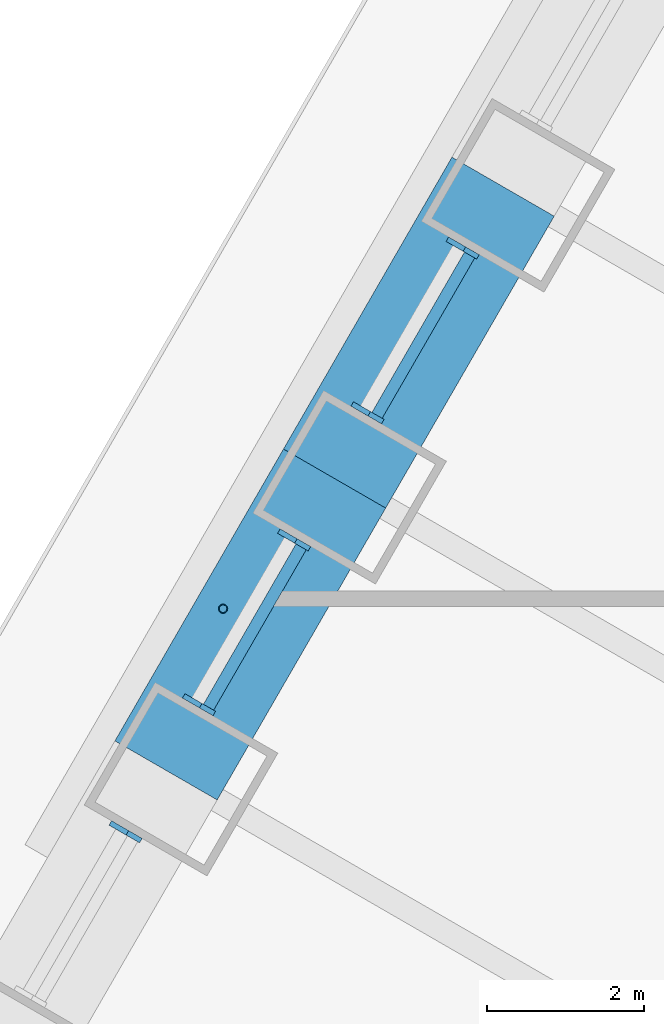
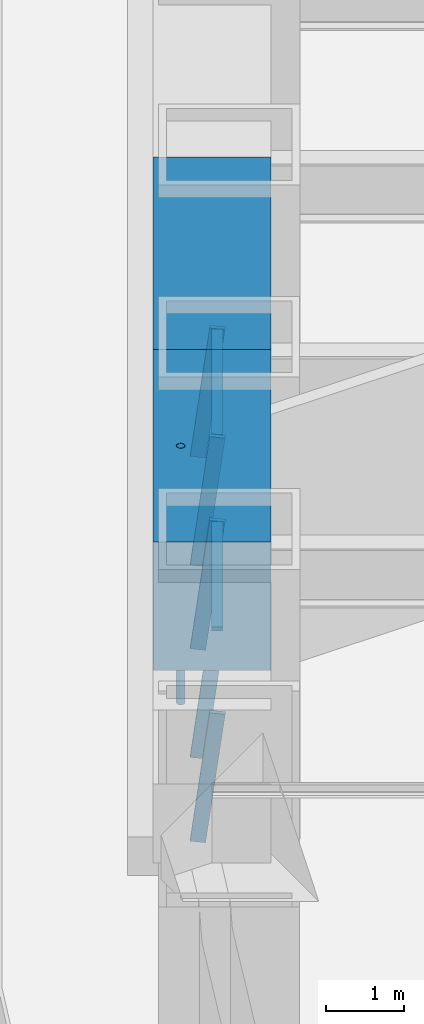
# One storey, part 6 of 18: 8 members, 2 beams, 3 elements without a shape of their own.
"""IFC4 building model written with IfcOpenShell, lengths in metres."""

from ifc_helpers import new_model, si_unit, direction, frame, origin, origin_2d, place, context, subcontext, project, spatial, rectangle, hollow_circle, extrude, material, material_profile, profile_set, type_object, element, aggregate, save


model = new_model("IFC4")

# Units and contexts
model_context = context("Model", 3, precision=1e-05, world=origin(), true_north=direction((0.0, 1.0)))
body_context = subcontext(model_context, "Body", "Model", "MODEL_VIEW")
ifc_project = project(units=[si_unit("LENGTHUNIT", "METRE"), si_unit("AREAUNIT", "SQUARE_METRE"), si_unit("VOLUMEUNIT", "CUBIC_METRE"), si_unit("PLANEANGLEUNIT", "RADIAN"), si_unit("MASSUNIT", "GRAM", prefix="KILO")], contexts=[model_context])

# Site, building, storey
site_placement = place(None, origin())
site = spatial("IfcSite", under=ifc_project, at=site_placement, CompositionType="ELEMENT")
building_placement = place(site_placement, origin())
building = spatial("IfcBuilding", under=site, at=building_placement, Name="Tarfa Lantern Tower", CompositionType="ELEMENT")
storey_placement = place(building_placement, frame((0.0, 0.0, 311.5)))
storey = spatial("IfcBuildingStorey", under=building, at=storey_placement, Name="L70", CompositionType="ELEMENT", Elevation=311.5)

# Curtain wall, members
ifc_material_1 = material(Name="Aluminium framed curtain wall", Category="aluminium")
curtain_wall_type = type_object("IfcCurtainWallType", Name="CW4 CANTED GLAZING EXECUTIVE ZONE 2000", PredefinedType="USERDEFINED", material=ifc_material_1)
curtain_wall_1_placement = place(storey_placement, origin())
curtain_wall_1 = element("IfcCurtainWall", 1, at=curtain_wall_1_placement, inside=storey, type_object=curtain_wall_type, Name="CW4 NW L70", ObjectType="CURTAIN WALL", PredefinedType="USERDEFINED")
ifc_material_2 = material(Name="Aluminium mullion", Category="aluminium")
ifc_material_profile_1 = material_profile(ifc_material_2, rectangle(XDim=0.06494140625, YDim=0.199951171875, at=origin_2d()), Name="AL MULLION 65x200")
ifc_profile_set_1 = profile_set([ifc_material_profile_1], Name="Aluminium mullion")
member_type_1 = type_object("IfcMemberType", Name="CWM1 MULLION 65x200", PredefinedType="MULLION", material=ifc_profile_set_1)
member_1_placement = place(storey_placement, frame((-23.5458984375, 12.517333984375, 0.0), z_axis=(0.107439978116, -0.062017213975, 0.992275423596), x_axis=(0.499919672301, 0.866071776036, 0.0)))
member_1 = element("IfcMember", 2, at=member_1_placement, type_object=member_type_1, Name="CW4 mullion 1", PredefinedType="MULLION", context=body_context, shape_type="SweptSolid", body=[
    extrude(rectangle(XDim=0.06494140625, YDim=0.199951171875, at=origin_2d()), origin(), (0.0, 0.0, 1.0), 2.015625),
])
member_2_placement = place(storey_placement, frame((-24.75439453125, 10.42431640625, 0.0), z_axis=(0.107439978116, -0.062017213975, 0.992275423596), x_axis=(0.499919672301, 0.866071776036, 0.0)))
member_2 = element("IfcMember", 3, at=member_2_placement, type_object=member_type_1, Name="CW4 mullion 2", PredefinedType="MULLION", context=body_context, shape_type="SweptSolid", body=[
    extrude(rectangle(XDim=0.06494140625, YDim=0.199951171875, at=origin_2d()), origin(), (0.0, 0.0, 1.0), 2.015625),
])

curtain_wall_2_placement = place(storey_placement, origin())
curtain_wall_2 = element("IfcCurtainWall", 4, at=curtain_wall_2_placement, inside=storey, type_object=curtain_wall_type, Name="CW4 NW L70", ObjectType="CURTAIN WALL", PredefinedType="USERDEFINED")
member_3_placement = place(storey_placement, frame((-25.686767578125, 8.80908203125, 0.0), z_axis=(0.107439978116, -0.062017213975, 0.992275423596), x_axis=(0.499919672301, 0.866071776036, 0.0)))
member_3 = element("IfcMember", 5, at=member_3_placement, type_object=member_type_1, Name="CW4 mullion 1", PredefinedType="MULLION", context=body_context, shape_type="SweptSolid", body=[
    extrude(rectangle(XDim=0.06494140625, YDim=0.199951171875, at=origin_2d()), origin(), (0.0, 0.0, 1.0), 2.015625),
])
member_4_placement = place(storey_placement, frame((-26.895263671875, 6.7158203125, 0.0), z_axis=(0.107320246625, -0.062018020623, 0.992288329964), x_axis=(0.500342721131, 0.865827443207, 0.0)))
member_4 = element("IfcMember", 6, at=member_4_placement, type_object=member_type_1, Name="CW4 mullion 2", PredefinedType="MULLION", context=body_context, shape_type="SweptSolid", body=[
    extrude(rectangle(XDim=0.06494140625, YDim=0.199951171875, at=origin_2d()), origin(), (0.0, 0.0, 1.0), 2.015625),
])

# Curtain wall, member
curtain_wall_3_placement = place(storey_placement, origin())
curtain_wall_3 = element("IfcCurtainWall", 7, at=curtain_wall_3_placement, inside=storey, type_object=curtain_wall_type, Name="CW4 NW L70", ObjectType="CURTAIN WALL", PredefinedType="USERDEFINED")
member_5_placement = place(storey_placement, frame((-27.827880859375, 5.100830078125, 0.0), z_axis=(0.107439978116, -0.062017213975, 0.992275423596), x_axis=(0.499919672301, 0.866071776036, 0.0)))
member_5 = element("IfcMember", 8, at=member_5_placement, type_object=member_type_1, Name="CW4 mullion 1", PredefinedType="MULLION", context=body_context, shape_type="SweptSolid", body=[
    extrude(rectangle(XDim=0.06494140625, YDim=0.199951171875, at=origin_2d()), origin(), (0.0, 0.0, 1.0), 2.015625),
])
aggregate(curtain_wall_3, [member_5])

# Member
ifc_material_3 = material(Name="Aluminium transom", Category="aluminium")
ifc_material_profile_2 = material_profile(ifc_material_3, rectangle(XDim=0.14990234375, YDim=0.06494140625, at=origin_2d()), Name="AL TRANSOM 150x65")
ifc_profile_set_2 = profile_set([ifc_material_profile_2], Name="Aluminium transom")
member_type_2 = type_object("IfcMemberType", Name="CWT1 TRANSOM 150x65", PredefinedType="USERDEFINED", material=ifc_profile_set_2)
member_6_placement = place(storey_placement, frame((-23.34912109375, 12.3662109375, 1.967529296875), z_axis=(-0.500012978079, -0.866017910757, 0.0), x_axis=(0.866017910757, -0.500012978079, 0.0)))
member_6 = element("IfcMember", 9, at=member_6_placement, type_object=member_type_2, Name="CW4 transom 1.2", ObjectType="TRANSOM", PredefinedType="USERDEFINED", context=body_context, shape_type="SweptSolid", body=[
    extrude(rectangle(XDim=0.14990234375, YDim=0.06494140625, at=origin_2d()), origin(), (0.0, 0.0, 1.0), 2.35205078125),
])

aggregate(curtain_wall_1, [member_1, member_2, member_6])

member_7_placement = place(storey_placement, frame((-25.489990234375, 8.657958984375, 1.967529296875), z_axis=(-0.500012978079, -0.866017910757, 0.0), x_axis=(0.866017910757, -0.500012978079, 0.0)))
member_7 = element("IfcMember", 10, at=member_7_placement, type_object=member_type_2, Name="CW4 transom 1.2", ObjectType="TRANSOM", PredefinedType="USERDEFINED", context=body_context, shape_type="SweptSolid", body=[
    extrude(rectangle(XDim=0.14990234375, YDim=0.06494140625, at=origin_2d()), origin(), (0.0, 0.0, 1.0), 2.35205078125),
])

aggregate(curtain_wall_2, [member_3, member_4, member_7])

# Beams
ifc_material_4 = material(Name="Concrete C80/95", Category="concrete")
ifc_material_profile_3 = material_profile(ifc_material_4, rectangle(XDim=1.5, YDim=2.0, at=origin_2d()), Name="RC 1500x2000")
ifc_profile_set_3 = profile_set([ifc_material_profile_3], Name="Concrete C80/95")
beam_type = type_object("IfcBeamType", Name="RB3 RC 1500x2000", PredefinedType="BEAM", material=ifc_profile_set_3)
beam_1_placement = place(storey_placement, frame((-22.923583984375, 13.235107421875, 3.0), z_axis=(-0.500002112793, -0.866024183959, 0.0), x_axis=(0.866024183959, -0.500002112793, 0.0)))
element("IfcBeam", 11, at=beam_1_placement, inside=storey, type_object=beam_type, Name="Edge beam NW3", PredefinedType="BEAM", context=body_context, shape_type="SweptSolid", body=[
    extrude(rectangle(XDim=1.5, YDim=2.0, at=origin_2d()), origin(), (0.0, 0.0, 1.0), 4.2822265625),
])
beam_2_placement = place(storey_placement, frame((-25.064697265625, 9.526611328125, 3.0), z_axis=(-0.500026801138, -0.866009929587, 0.0), x_axis=(0.866009929587, -0.500026801138, 0.0)))
element("IfcBeam", 12, at=beam_2_placement, inside=storey, type_object=beam_type, Name="Edge beam NW4", PredefinedType="BEAM", context=body_context, shape_type="SweptSolid", body=[
    extrude(rectangle(XDim=1.5, YDim=2.0, at=origin_2d()), origin(), (0.0, 0.0, 1.0), 4.281982421875),
])

# Member
ifc_material_5 = material(Name="Steel S355", Category="steel")
ifc_material_profile_4 = material_profile(ifc_material_5, hollow_circle(Radius=0.05712890625, WallThickness=0.00634765625, at=origin_2d()), Name="CHS114.3x6.3")
ifc_profile_set_4 = profile_set([ifc_material_profile_4], Name="Steel S355")
member_type_3 = type_object("IfcMemberType", Name="TR1 GREEN WALL TRELLIS CHS114.3x6.3", PredefinedType="USERDEFINED", material=ifc_profile_set_4)
member_8_placement = place(storey_placement, frame((-26.481689453125, 7.87255859375, 0.0), z_axis=(0.0, 0.0, 1.0), x_axis=(1.0, 0.0, 0.0)))
element("IfcMember", 13, at=member_8_placement, inside=storey, type_object=member_type_3, Name="Trellis post NW 2", ObjectType="TRELLIS", PredefinedType="USERDEFINED", context=body_context, shape_type="SweptSolid", body=[
    extrude(hollow_circle(Radius=0.05712890625, WallThickness=0.00634765625, at=origin_2d()), origin(), (0.0, 0.0, 1.0), 4.0),
])

save(model, "model.ifc")
